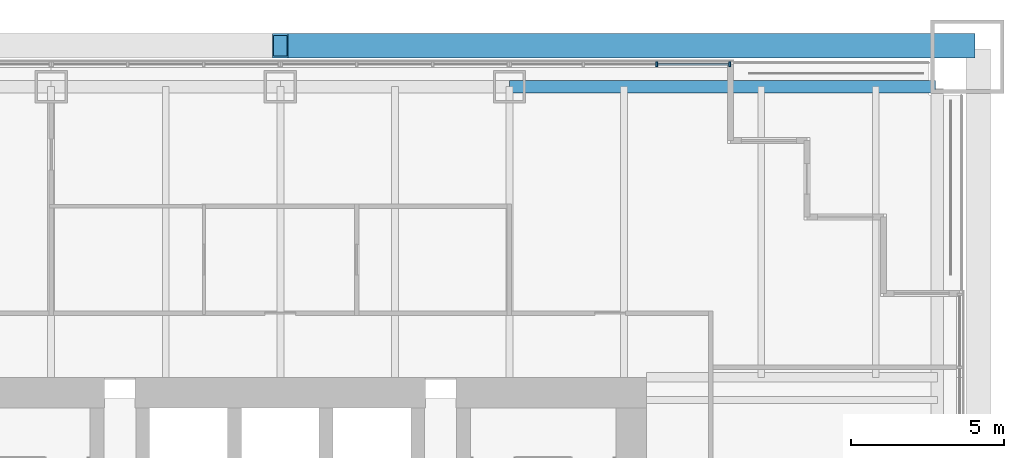
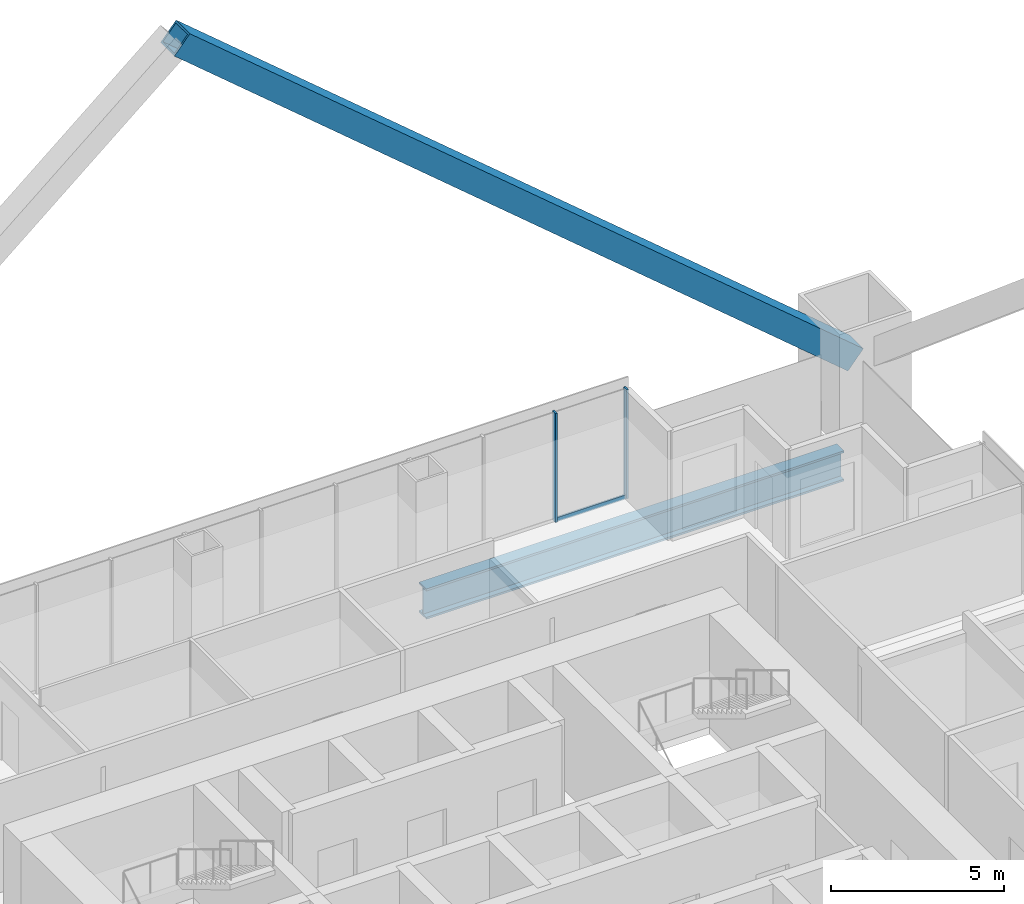
# One storey, part 12 of 19: 4 members, 1 beam, 1 element without a shape of its own.
"""IFC4 building model written with IfcOpenShell, lengths in metres."""

from ifc_helpers import new_model, si_unit, direction, frame, origin, origin_2d, place, context, subcontext, project, spatial, rectangle, hollow_rectangle, i_section, extrude, material, material_profile, profile_set, type_object, element, aggregate, save


model = new_model("IFC4")

# Units and contexts
model_context = context("Model", 3, precision=1e-05, world=origin(), true_north=direction((0.0, 1.0)))
body_context = subcontext(model_context, "Body", "Model", "MODEL_VIEW")
ifc_project = project(units=[si_unit("LENGTHUNIT", "METRE"), si_unit("AREAUNIT", "SQUARE_METRE"), si_unit("VOLUMEUNIT", "CUBIC_METRE"), si_unit("PLANEANGLEUNIT", "RADIAN"), si_unit("MASSUNIT", "GRAM", prefix="KILO")], contexts=[model_context])

# Site, building, storey
site_placement = place(None, origin())
site = spatial("IfcSite", under=ifc_project, at=site_placement, CompositionType="ELEMENT")
building_placement = place(site_placement, origin())
building = spatial("IfcBuilding", under=site, at=building_placement, Name="Tarangal Relay Tower", CompositionType="ELEMENT")
storey_placement = place(building_placement, frame((0.0, 0.0, 213.89990234375)))
storey = spatial("IfcBuildingStorey", under=building, at=storey_placement, Name="L45", CompositionType="ELEMENT", Elevation=213.89990234375)

# Beam
ifc_material_1 = material(Name="Steel ASTM A992", Category="steel")
ifc_material_profile_1 = material_profile(ifc_material_1, i_section(OverallWidth=0.41650390625, OverallDepth=1.0693359375, WebThickness=0.0390625, FlangeThickness=0.070068359375, at=origin_2d()), Name="W40X503")
ifc_profile_set_1 = profile_set([ifc_material_profile_1], Name="Steel ASTM A992")
beam_type = type_object("IfcBeamType", Name="Edge girder W40X503", PredefinedType="SPANDREL", material=ifc_profile_set_1)
beam_placement = place(storey_placement, frame((7.5, 21.514892578125, -0.6845703125), z_axis=(1.0, 0.0, 0.0), x_axis=(0.0, 1.0, 0.0)))
element("IfcBeam", 1, at=beam_placement, inside=storey, type_object=beam_type, Name="Edge girder EG8 N L45", PredefinedType="SPANDREL", context=body_context, shape_type="SweptSolid", body=[
    extrude(i_section(OverallWidth=0.41650390625, OverallDepth=1.0693359375, WebThickness=0.0390625, FlangeThickness=0.070068359375, at=origin_2d()), origin(), (0.0, 0.0, 1.0), 13.949951171875),
])

# Member
ifc_material_2 = material(Name="Steel ASTM A572 Grade 50", Category="steel")
ifc_material_profile_2 = material_profile(ifc_material_2, hollow_rectangle(XDim=0.800048828125, YDim=0.800048828125, WallThickness=0.06494140625, at=origin_2d()), Name="BOX800X800X65")
ifc_profile_set_2 = profile_set([ifc_material_profile_2], Name="Steel ASTM A572 Grade 50")
member_type_1 = type_object("IfcMemberType", Name="Mega brace BOX800X800X65", PredefinedType="BRACE", material=ifc_profile_set_2)
member_1_placement = place(storey_placement, frame((22.5, 22.85009765625, 2.0), z_axis=(-0.764029915847, 0.0, 0.645180817826), x_axis=(0.0, -1.0, 0.0)))
element("IfcMember", 2, at=member_1_placement, inside=storey, type_object=member_type_1, Name="Mega brace MB3 N face module 2", PredefinedType="BRACE", context=body_context, shape_type="SweptSolid", body=[
    extrude(hollow_rectangle(XDim=0.800048828125, YDim=0.800048828125, WallThickness=0.06494140625, at=origin_2d()), origin(), (0.0, 0.0, 1.0), 29.44921875),
])

# Curtain wall, members
ifc_material_3 = material(Name="Unitised curtain wall, dark glass and black aluminium", Category="aluminium")
curtain_wall_type = type_object("IfcCurtainWallType", Name="Curtain wall CW-A", PredefinedType="USERDEFINED", material=ifc_material_3)
curtain_wall_placement = place(storey_placement, origin())
curtain_wall = element("IfcCurtainWall", 3, at=curtain_wall_placement, inside=storey, type_object=curtain_wall_type, Name="Curtain wall CW-A N facade L45", ObjectType="UNITISED CURTAIN WALL", PredefinedType="USERDEFINED")
ifc_material_4 = material(Name="Black anodised aluminium mullion", Category="aluminium")
ifc_material_profile_3 = material_profile(ifc_material_4, rectangle(XDim=0.175048828125, YDim=0.06494140625, at=origin_2d()), Name="CW-AM 65X175")
ifc_profile_set_3 = profile_set([ifc_material_profile_3], Name="Black anodised aluminium mullion")
member_type_2 = type_object("IfcMemberType", Name="Mullion CW-A 65 x 175", PredefinedType="MULLION", material=ifc_profile_set_3)
member_2_placement = place(storey_placement, frame((12.333251953125, 22.25, 0.0), z_axis=(0.0, 0.0, 1.0), x_axis=(0.0, 1.0, 0.0)))
member_2 = element("IfcMember", 4, at=member_2_placement, type_object=member_type_2, Name="CW-A mullion 3", PredefinedType="MULLION", context=body_context, shape_type="SweptSolid", body=[
    extrude(rectangle(XDim=0.175048828125, YDim=0.06494140625, at=origin_2d()), origin(), (0.0, 0.0, 1.0), 3.85009765625),
])
member_3_placement = place(storey_placement, frame((14.717529296875, 22.25, 0.0), z_axis=(0.0, 0.0, 1.0), x_axis=(0.0, 1.0, 0.0)))
member_3 = element("IfcMember", 5, at=member_3_placement, type_object=member_type_2, Name="CW-A mullion 4", PredefinedType="MULLION", context=body_context, shape_type="SweptSolid", body=[
    extrude(rectangle(XDim=0.175048828125, YDim=0.06494140625, at=origin_2d()), origin(), (0.0, 0.0, 1.0), 3.85009765625),
])
ifc_material_5 = material(Name="Black anodised aluminium transom", Category="aluminium")
ifc_material_profile_4 = material_profile(ifc_material_5, rectangle(XDim=0.06494140625, YDim=0.14990234375, at=origin_2d()), Name="CW-AT 65X150")
ifc_profile_set_4 = profile_set([ifc_material_profile_4], Name="Black anodised aluminium transom")
member_type_3 = type_object("IfcMemberType", Name="Transom CW-A 65 x 150", PredefinedType="USERDEFINED", material=ifc_profile_set_4)
member_4_placement = place(storey_placement, frame((12.36572265625, 22.25, 0.03271484375), z_axis=(1.0, 0.0, 0.0), x_axis=(0.0, 1.0, 0.0)))
member_4 = element("IfcMember", 6, at=member_4_placement, type_object=member_type_3, Name="CW-A transom 3.1", ObjectType="TRANSOM", PredefinedType="USERDEFINED", context=body_context, shape_type="SweptSolid", body=[
    extrude(rectangle(XDim=0.06494140625, YDim=0.14990234375, at=origin_2d()), origin(), (0.0, 0.0, 1.0), 2.3193359375),
])
aggregate(curtain_wall, [member_2, member_3, member_4])

save(model, "model.ifc")
